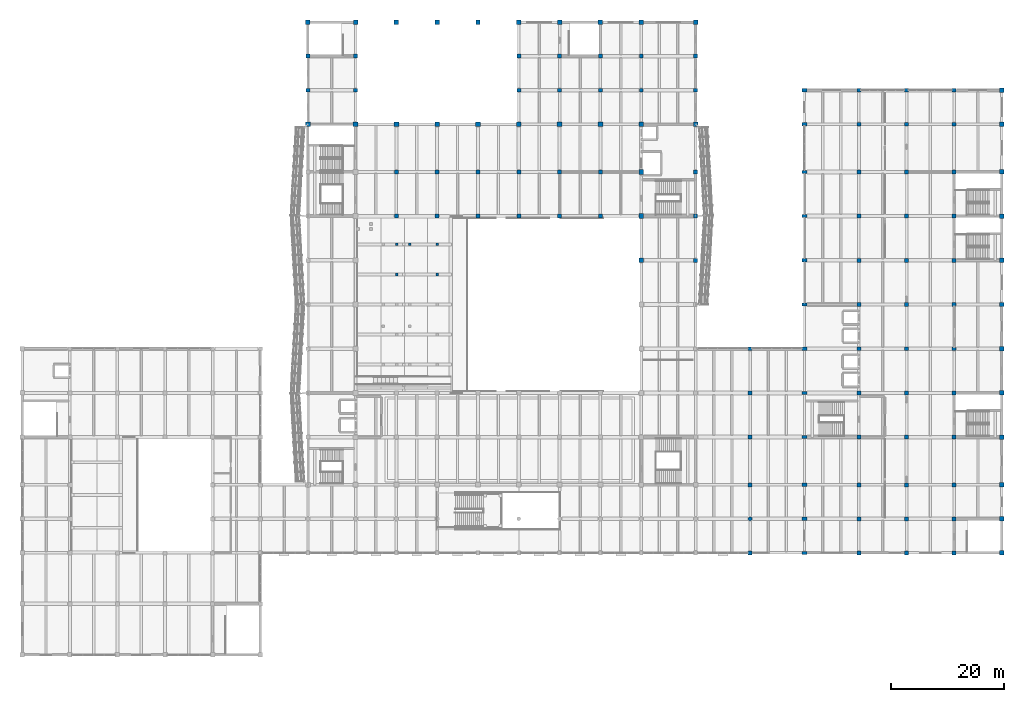
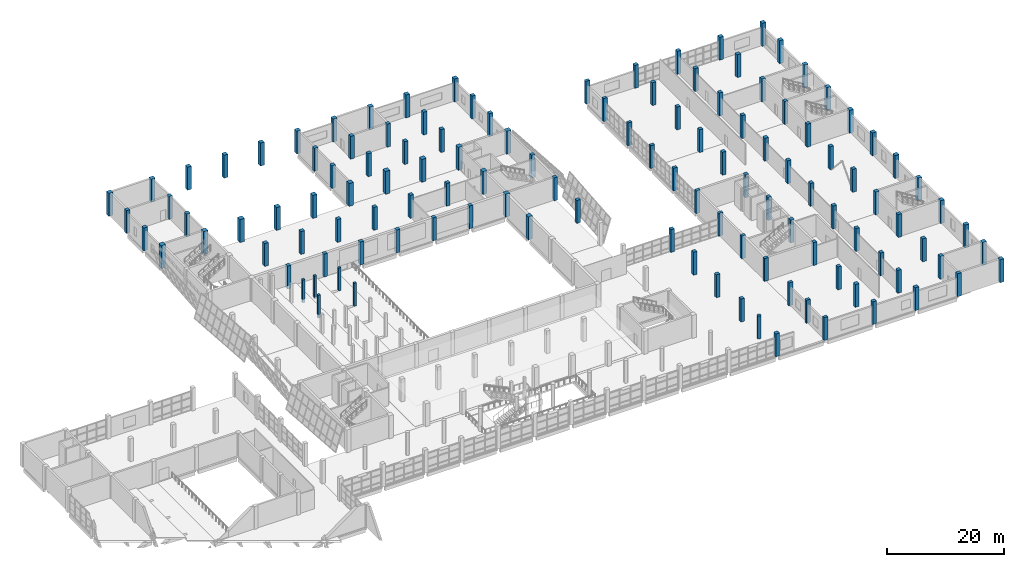
# One storey, part 2 of 91: 123 columns.
"""IFC4 building model written with IfcOpenShell, lengths in metres."""

from ifc_helpers import new_model, si_unit, direction, frame, origin, origin_2d, place, context, subcontext, project, spatial, rectangle, circle, extrude, material, material_profile, profile_set, type_object, element, save


model = new_model("IFC4")

# Units and contexts
model_context = context("Model", 3, precision=1e-05, world=origin(), true_north=direction((0.0, 1.0)))
body_context = subcontext(model_context, "Body", "Model", "MODEL_VIEW")
ifc_project = project(units=[si_unit("LENGTHUNIT", "METRE"), si_unit("AREAUNIT", "SQUARE_METRE"), si_unit("VOLUMEUNIT", "CUBIC_METRE"), si_unit("PLANEANGLEUNIT", "RADIAN"), si_unit("MASSUNIT", "GRAM", prefix="KILO")], contexts=[model_context])

# Site, building, storey
site_placement = place(None, origin())
site = spatial("IfcSite", under=ifc_project, at=site_placement, CompositionType="ELEMENT")
building_placement = place(site_placement, origin())
building = spatial("IfcBuilding", under=site, at=building_placement, Name="Pellamere Symphony Hall", CompositionType="ELEMENT")
storey_placement = place(building_placement, frame((0.0, 0.0, 5.39990234375)))
storey = spatial("IfcBuildingStorey", under=building, at=storey_placement, Name="L01", CompositionType="ELEMENT", Elevation=5.39990234375)

# Columns
ifc_material_1 = material(Name="Concrete 40 MPa", Category="concrete")
ifc_material_profile_1 = material_profile(ifc_material_1, circle(Radius=0.35009765625, at=origin_2d()), Name="RCCOL D700")
ifc_profile_set_1 = profile_set([ifc_material_profile_1], Name="Concrete 40 MPa")
column_type_1 = type_object("IfcColumnType", Name="RC Circular Foyer Column CC-16 D700", PredefinedType="COLUMN", material=ifc_profile_set_1)
column_placement = place(storey_placement, frame((128.39990234375, 24.0, 0.0), z_axis=(0.0, 0.0, 1.0), x_axis=(1.0, 0.0, 0.0)))
element("IfcColumn", 1, at=column_placement, inside=storey, type_object=column_type_1, Name="Column C-17D (L01)", PredefinedType="COLUMN", context=body_context, shape_type="SweptSolid", body=[
    extrude(circle(Radius=0.35009765625, at=origin_2d()), origin(), (0.0, 0.0, 1.0), 4.800048828125),
])
ifc_material_2 = material(Name="Concrete 50 MPa", Category="concrete")
ifc_material_profile_2 = material_profile(ifc_material_2, rectangle(XDim=0.85009765625, YDim=0.85009765625, at=origin_2d()), Name="RC 850x850")
ifc_profile_set_2 = profile_set([ifc_material_profile_2], Name="Concrete 50 MPa")
column_type_2 = type_object("IfcColumnType", Name="RC Column CC-03 850x850", PredefinedType="COLUMN", material=ifc_profile_set_2)
for number, where, z_axis, x_axis, name in (
    (2, (50.39990234375, 93.60009765625, 0.0), (0.0, 0.0, 1.0), (1.0, 0.0, 0.0), "Column C-7M (L01)"),
    (3, (58.800048828125, 93.60009765625, 0.0), (0.0, 0.0, 1.0), (1.0, 0.0, 0.0), "Column C-8M (L01)"),
    (4, (66.0, 93.60009765625, 0.0), (0.0, 0.0, 1.0), (1.0, 0.0, 0.0), "Column C-9M (L01)"),
    (5, (73.199951171875, 93.60009765625, 0.0), (0.0, 0.0, 1.0), (1.0, 0.0, 0.0), "Column C-10M (L01)"),
    (6, (80.39990234375, 93.60009765625, 0.0), (0.0, 0.0, 1.0), (1.0, 0.0, 0.0), "Column C-11M (L01)"),
    (7, (87.60009765625, 93.60009765625, 0.0), (0.0, 0.0, 1.0), (1.0, 0.0, 0.0), "Column C-12M (L01)"),
    (8, (94.800048828125, 93.60009765625, 0.0), (0.0, 0.0, 1.0), (1.0, 0.0, 0.0), "Column C-13M (L01)"),
    (9, (102.0, 93.60009765625, 0.0), (0.0, 0.0, 1.0), (1.0, 0.0, 0.0), "Column C-14M (L01)"),
    (10, (109.199951171875, 69.60009765625, 0.0), (0.0, 0.0, 1.0), (1.0, 0.0, 0.0), "Column C-15J (L01)"),
    (11, (109.199951171875, 77.39990234375, 0.0), (0.0, 0.0, 1.0), (1.0, 0.0, 0.0), "Column C-15K (L01)"),
    (12, (109.199951171875, 85.199951171875, 0.0), (0.0, 0.0, 1.0), (1.0, 0.0, 0.0), "Column C-15L (L01)"),
    (13, (109.199951171875, 93.60009765625, 0.0), (0.0, 0.0, 1.0), (1.0, 0.0, 0.0), "Column C-15M (L01)"),
    (14, (118.800048828125, 93.60009765625, 0.0), (0.0, 0.0, 1.0), (1.0, 0.0, 0.0), "Column C-16M (L01)"),
):
    element("IfcColumn", number, at=place(storey_placement, frame(where, z_axis=z_axis, x_axis=x_axis)), inside=storey, type_object=column_type_2, Name=name, PredefinedType="COLUMN", context=body_context, shape_type="SweptSolid", body=[
        extrude(rectangle(XDim=0.85009765625, YDim=0.85009765625, at=origin_2d()), origin(), (0.0, 0.0, 1.0), 4.800048828125),
    ])
ifc_material_profile_3 = material_profile(ifc_material_1, rectangle(XDim=0.699951171875, YDim=0.699951171875, at=origin_2d()), Name="RC 700x700")
ifc_profile_set_3 = profile_set([ifc_material_profile_3], Name="Concrete 40 MPa")
column_type_3 = type_object("IfcColumnType", Name="RC Column CC-06 700x700", PredefinedType="COLUMN", material=ifc_profile_set_3)
for number, where, z_axis, x_axis, name in (
    (15, (50.39990234375, 99.60009765625, 0.0), (0.0, 0.0, 1.0), (1.0, 0.0, 0.0), "Column C-7N (L01)"),
    (16, (50.39990234375, 105.60009765625, 0.0), (0.0, 0.0, 1.0), (1.0, 0.0, 0.0), "Column C-7O (L01)"),
    (17, (58.800048828125, 99.60009765625, 0.0), (0.0, 0.0, 1.0), (1.0, 0.0, 0.0), "Column C-8N (L01)"),
    (18, (58.800048828125, 105.60009765625, 0.0), (0.0, 0.0, 1.0), (1.0, 0.0, 0.0), "Column C-8O (L01)"),
    (19, (66.0, 77.39990234375, 0.0), (0.0, 0.0, 1.0), (1.0, 0.0, 0.0), "Column C-9K (L01)"),
    (20, (66.0, 85.199951171875, 0.0), (0.0, 0.0, 1.0), (1.0, 0.0, 0.0), "Column C-9L (L01)"),
    (21, (73.199951171875, 77.39990234375, 0.0), (0.0, 0.0, 1.0), (1.0, 0.0, 0.0), "Column C-10K (L01)"),
    (22, (73.199951171875, 85.199951171875, 0.0), (0.0, 0.0, 1.0), (1.0, 0.0, 0.0), "Column C-10L (L01)"),
    (23, (80.39990234375, 77.39990234375, 0.0), (0.0, 0.0, 1.0), (1.0, 0.0, 0.0), "Column C-11K (L01)"),
    (24, (80.39990234375, 85.199951171875, 0.0), (0.0, 0.0, 1.0), (1.0, 0.0, 0.0), "Column C-11L (L01)"),
    (25, (87.60009765625, 77.39990234375, 0.0), (0.0, 0.0, 1.0), (1.0, 0.0, 0.0), "Column C-12K (L01)"),
    (26, (87.60009765625, 85.199951171875, 0.0), (0.0, 0.0, 1.0), (1.0, 0.0, 0.0), "Column C-12L (L01)"),
    (27, (87.60009765625, 99.60009765625, 0.0), (0.0, 0.0, 1.0), (1.0, 0.0, 0.0), "Column C-12N (L01)"),
    (28, (87.60009765625, 105.60009765625, 0.0), (0.0, 0.0, 1.0), (1.0, 0.0, 0.0), "Column C-12O (L01)"),
    (29, (94.800048828125, 77.39990234375, 0.0), (0.0, 0.0, 1.0), (1.0, 0.0, 0.0), "Column C-13K (L01)"),
    (30, (94.800048828125, 85.199951171875, 0.0), (0.0, 0.0, 1.0), (1.0, 0.0, 0.0), "Column C-13L (L01)"),
    (31, (94.800048828125, 99.60009765625, 0.0), (0.0, 0.0, 1.0), (1.0, 0.0, 0.0), "Column C-13N (L01)"),
    (32, (94.800048828125, 105.60009765625, 0.0), (0.0, 0.0, 1.0), (1.0, 0.0, 0.0), "Column C-13O (L01)"),
    (33, (102.0, 77.39990234375, 0.0), (0.0, 0.0, 1.0), (1.0, 0.0, 0.0), "Column C-14K (L01)"),
    (34, (102.0, 85.199951171875, 0.0), (0.0, 0.0, 1.0), (1.0, 0.0, 0.0), "Column C-14L (L01)"),
    (35, (102.0, 99.60009765625, 0.0), (0.0, 0.0, 1.0), (1.0, 0.0, 0.0), "Column C-14N (L01)"),
    (36, (102.0, 105.60009765625, 0.0), (0.0, 0.0, 1.0), (1.0, 0.0, 0.0), "Column C-14O (L01)"),
    (37, (109.199951171875, 99.60009765625, 0.0), (0.0, 0.0, 1.0), (1.0, 0.0, 0.0), "Column C-15N (L01)"),
    (38, (109.199951171875, 105.60009765625, 0.0), (0.0, 0.0, 1.0), (1.0, 0.0, 0.0), "Column C-15O (L01)"),
    (39, (118.800048828125, 69.60009765625, 0.0), (0.0, 0.0, 1.0), (1.0, 0.0, 0.0), "Column C-16J (L01)"),
    (40, (118.800048828125, 77.39990234375, 0.0), (0.0, 0.0, 1.0), (1.0, 0.0, 0.0), "Column C-16K (L01)"),
    (41, (118.800048828125, 85.199951171875, 0.0), (0.0, 0.0, 1.0), (1.0, 0.0, 0.0), "Column C-16L (L01)"),
    (42, (118.800048828125, 99.60009765625, 0.0), (0.0, 0.0, 1.0), (1.0, 0.0, 0.0), "Column C-16N (L01)"),
    (43, (118.800048828125, 105.60009765625, 0.0), (0.0, 0.0, 1.0), (1.0, 0.0, 0.0), "Column C-16O (L01)"),
    (44, (128.39990234375, 18.0, 0.0), (0.0, 0.0, 1.0), (1.0, 0.0, 0.0), "Column C-17C (L01)"),
    (45, (128.39990234375, 30.0, 0.0), (0.0, 0.0, 1.0), (1.0, 0.0, 0.0), "Column C-17E (L01)"),
    (46, (128.39990234375, 38.39990234375, 0.0), (0.0, 0.0, 1.0), (1.0, 0.0, 0.0), "Column C-17F (L01)"),
    (47, (128.39990234375, 46.199951171875, 0.0), (0.0, 0.0, 1.0), (1.0, 0.0, 0.0), "Column C-17G (L01)"),
    (48, (128.39990234375, 54.0, 0.0), (0.0, 0.0, 1.0), (1.0, 0.0, 0.0), "Column C-17H (L01)"),
    (49, (147.60009765625, 18.0, 0.0), (0.0, 0.0, 1.0), (1.0, 0.0, 0.0), "Column C-19C (L01)"),
    (50, (147.60009765625, 24.0, 0.0), (0.0, 0.0, 1.0), (1.0, 0.0, 0.0), "Column C-19D (L01)"),
    (51, (147.60009765625, 30.0, 0.0), (0.0, 0.0, 1.0), (1.0, 0.0, 0.0), "Column C-19E (L01)"),
    (52, (147.60009765625, 38.39990234375, 0.0), (0.0, 0.0, 1.0), (1.0, 0.0, 0.0), "Column C-19F (L01)"),
    (53, (147.60009765625, 46.199951171875, 0.0), (0.0, 0.0, 1.0), (1.0, 0.0, 0.0), "Column C-19G (L01)"),
    (54, (147.60009765625, 54.0, 0.0), (0.0, 0.0, 1.0), (1.0, 0.0, 0.0), "Column C-19H (L01)"),
    (55, (147.60009765625, 61.800048828125, 0.0), (0.0, 0.0, 1.0), (1.0, 0.0, 0.0), "Column C-19I (L01)"),
    (56, (147.60009765625, 69.60009765625, 0.0), (0.0, 0.0, 1.0), (1.0, 0.0, 0.0), "Column C-19J (L01)"),
    (57, (147.60009765625, 77.39990234375, 0.0), (0.0, 0.0, 1.0), (1.0, 0.0, 0.0), "Column C-19K (L01)"),
    (58, (147.60009765625, 85.199951171875, 0.0), (0.0, 0.0, 1.0), (1.0, 0.0, 0.0), "Column C-19L (L01)"),
    (59, (147.60009765625, 93.60009765625, 0.0), (0.0, 0.0, 1.0), (1.0, 0.0, 0.0), "Column C-19M (L01)"),
    (60, (147.60009765625, 99.60009765625, 0.0), (0.0, 0.0, 1.0), (1.0, 0.0, 0.0), "Column C-19N (L01)"),
    (61, (156.0, 18.0, 0.0), (0.0, 0.0, 1.0), (1.0, 0.0, 0.0), "Column C-20C (L01)"),
    (62, (156.0, 24.0, 0.0), (0.0, 0.0, 1.0), (1.0, 0.0, 0.0), "Column C-20D (L01)"),
    (63, (156.0, 30.0, 0.0), (0.0, 0.0, 1.0), (1.0, 0.0, 0.0), "Column C-20E (L01)"),
    (64, (156.0, 38.39990234375, 0.0), (0.0, 0.0, 1.0), (1.0, 0.0, 0.0), "Column C-20F (L01)"),
    (65, (156.0, 46.199951171875, 0.0), (0.0, 0.0, 1.0), (1.0, 0.0, 0.0), "Column C-20G (L01)"),
    (66, (156.0, 54.0, 0.0), (0.0, 0.0, 1.0), (1.0, 0.0, 0.0), "Column C-20H (L01)"),
    (67, (156.0, 61.800048828125, 0.0), (0.0, 0.0, 1.0), (1.0, 0.0, 0.0), "Column C-20I (L01)"),
    (68, (156.0, 69.60009765625, 0.0), (0.0, 0.0, 1.0), (1.0, 0.0, 0.0), "Column C-20J (L01)"),
    (69, (156.0, 77.39990234375, 0.0), (0.0, 0.0, 1.0), (1.0, 0.0, 0.0), "Column C-20K (L01)"),
    (70, (156.0, 85.199951171875, 0.0), (0.0, 0.0, 1.0), (1.0, 0.0, 0.0), "Column C-20L (L01)"),
    (71, (156.0, 93.60009765625, 0.0), (0.0, 0.0, 1.0), (1.0, 0.0, 0.0), "Column C-20M (L01)"),
    (72, (156.0, 99.60009765625, 0.0), (0.0, 0.0, 1.0), (1.0, 0.0, 0.0), "Column C-20N (L01)"),
    (73, (164.39990234375, 18.0, 0.0), (0.0, 0.0, 1.0), (1.0, 0.0, 0.0), "Column C-21C (L01)"),
    (74, (164.39990234375, 24.0, 0.0), (0.0, 0.0, 1.0), (1.0, 0.0, 0.0), "Column C-21D (L01)"),
    (75, (164.39990234375, 30.0, 0.0), (0.0, 0.0, 1.0), (1.0, 0.0, 0.0), "Column C-21E (L01)"),
    (76, (164.39990234375, 38.39990234375, 0.0), (0.0, 0.0, 1.0), (1.0, 0.0, 0.0), "Column C-21F (L01)"),
    (77, (164.39990234375, 46.199951171875, 0.0), (0.0, 0.0, 1.0), (1.0, 0.0, 0.0), "Column C-21G (L01)"),
    (78, (164.39990234375, 54.0, 0.0), (0.0, 0.0, 1.0), (1.0, 0.0, 0.0), "Column C-21H (L01)"),
    (79, (164.39990234375, 61.800048828125, 0.0), (0.0, 0.0, 1.0), (1.0, 0.0, 0.0), "Column C-21I (L01)"),
    (80, (164.39990234375, 69.60009765625, 0.0), (0.0, 0.0, 1.0), (1.0, 0.0, 0.0), "Column C-21J (L01)"),
    (81, (164.39990234375, 77.39990234375, 0.0), (0.0, 0.0, 1.0), (1.0, 0.0, 0.0), "Column C-21K (L01)"),
    (82, (164.39990234375, 85.199951171875, 0.0), (0.0, 0.0, 1.0), (1.0, 0.0, 0.0), "Column C-21L (L01)"),
    (83, (164.39990234375, 93.60009765625, 0.0), (0.0, 0.0, 1.0), (1.0, 0.0, 0.0), "Column C-21M (L01)"),
    (84, (164.39990234375, 99.60009765625, 0.0), (0.0, 0.0, 1.0), (1.0, 0.0, 0.0), "Column C-21N (L01)"),
):
    element("IfcColumn", number, at=place(storey_placement, frame(where, z_axis=z_axis, x_axis=x_axis)), inside=storey, type_object=column_type_3, Name=name, PredefinedType="COLUMN", context=body_context, shape_type="SweptSolid", body=[
        extrude(rectangle(XDim=0.699951171875, YDim=0.699951171875, at=origin_2d()), origin(), (0.0, 0.0, 1.0), 4.800048828125),
    ])
ifc_material_profile_4 = material_profile(ifc_material_1, rectangle(XDim=0.800048828125, YDim=0.550048828125, at=origin_2d()), Name="RC 800x550")
ifc_profile_set_4 = profile_set([ifc_material_profile_4], Name="Concrete 40 MPa")
column_type_4 = type_object("IfcColumnType", Name="RC Column CC-13 800x550", PredefinedType="COLUMN", material=ifc_profile_set_4)
for number, where, z_axis, x_axis, name in (
    (85, (138.0, 18.0, 0.0), (0.0, 0.0, 1.0), (1.0, 0.0, 0.0), "Column C-18C (L01)"),
    (86, (138.0, 24.0, 0.0), (0.0, 0.0, 1.0), (1.0, 0.0, 0.0), "Column C-18D (L01)"),
    (87, (138.0, 30.0, 0.0), (0.0, 0.0, 1.0), (1.0, 0.0, 0.0), "Column C-18E (L01)"),
    (88, (138.0, 38.39990234375, 0.0), (0.0, 0.0, 1.0), (1.0, 0.0, 0.0), "Column C-18F (L01)"),
    (89, (138.0, 46.199951171875, 0.0), (0.0, 0.0, 1.0), (1.0, 0.0, 0.0), "Column C-18G (L01)"),
    (90, (138.0, 54.0, 0.0), (0.0, 0.0, 1.0), (1.0, 0.0, 0.0), "Column C-18H (L01)"),
    (91, (138.0, 61.800048828125, 0.0), (0.0, 0.0, 1.0), (1.0, 0.0, 0.0), "Column C-18I (L01)"),
    (92, (138.0, 69.60009765625, 0.0), (0.0, 0.0, 1.0), (1.0, 0.0, 0.0), "Column C-18J (L01)"),
    (93, (138.0, 77.39990234375, 0.0), (0.0, 0.0, 1.0), (1.0, 0.0, 0.0), "Column C-18K (L01)"),
    (94, (138.0, 85.199951171875, 0.0), (0.0, 0.0, 1.0), (1.0, 0.0, 0.0), "Column C-18L (L01)"),
    (95, (138.0, 93.60009765625, 0.0), (0.0, 0.0, 1.0), (1.0, 0.0, 0.0), "Column C-18M (L01)"),
    (96, (138.0, 99.60009765625, 0.0), (0.0, 0.0, 1.0), (1.0, 0.0, 0.0), "Column C-18N (L01)"),
):
    element("IfcColumn", number, at=place(storey_placement, frame(where, z_axis=z_axis, x_axis=x_axis)), inside=storey, type_object=column_type_4, Name=name, PredefinedType="COLUMN", context=body_context, shape_type="SweptSolid", body=[
        extrude(rectangle(XDim=0.800048828125, YDim=0.550048828125, at=origin_2d()), origin(), (0.0, 0.0, 1.0), 4.800048828125),
    ])
ifc_material_profile_5 = material_profile(ifc_material_1, rectangle(XDim=0.449951171875, YDim=0.449951171875, at=origin_2d()), Name="RC 450x450")
ifc_profile_set_5 = profile_set([ifc_material_profile_5], Name="Concrete 40 MPa")
column_type_5 = type_object("IfcColumnType", Name="RC Column CC-18 450x450", PredefinedType="COLUMN", material=ifc_profile_set_5)
for number, where, z_axis, x_axis, name in (
    (97, (66.074951171875, 67.10009765625, 0.0), (0.0, 0.0, 1.0), (1.0, 0.0, 0.0), "Under-Tier Raker Support Column RKC-049 (L01)"),
    (98, (66.074951171875, 72.39990234375, 0.0), (0.0, 0.0, 1.0), (1.0, 0.0, 0.0), "Under-Tier Raker Support Column RKC-053 (L01)"),
    (99, (68.39990234375, 72.39990234375, 0.0), (0.0, 0.0, 1.0), (1.0, 0.0, 0.0), "Under-Tier Raker Support Column RKC-090 (L01)"),
    (100, (73.199951171875, 67.10009765625, 0.0), (0.0, 0.0, 1.0), (1.0, 0.0, 0.0), "Under-Tier Raker Support Column RKC-106 (L01)"),
    (101, (73.199951171875, 72.39990234375, 0.0), (0.0, 0.0, 1.0), (1.0, 0.0, 0.0), "Under-Tier Raker Support Column RKC-110 (L01)"),
):
    element("IfcColumn", number, at=place(storey_placement, frame(where, z_axis=z_axis, x_axis=x_axis)), inside=storey, type_object=column_type_5, Name=name, PredefinedType="COLUMN", context=body_context, shape_type="SweptSolid", body=[
        extrude(rectangle(XDim=0.449951171875, YDim=0.449951171875, at=origin_2d()), origin(), (0.0, 0.0, 1.0), 4.800048828125),
    ])
ifc_material_profile_6 = material_profile(ifc_material_1, rectangle(XDim=0.780029296875, YDim=0.780029296875, at=origin_2d()), Name="RC 780x780")
ifc_profile_set_6 = profile_set([ifc_material_profile_6], Name="Concrete 40 MPa")
column_type_6 = type_object("IfcColumnType", Name="RC Column CCP-03 780x780", PredefinedType="COLUMN", material=ifc_profile_set_6)
for number, where, z_axis, x_axis, name in (
    (102, (50.39990234375, 111.60009765625, 0.0), (0.0, 0.0, 1.0), (1.0, 0.0, 0.0), "Column C-7P (L01)"),
    (103, (58.800048828125, 111.60009765625, 0.0), (0.0, 0.0, 1.0), (1.0, 0.0, 0.0), "Column C-8P (L01)"),
    (104, (66.0, 111.60009765625, 0.0), (0.0, 0.0, 1.0), (1.0, 0.0, 0.0), "Column C-9P (L01)"),
    (105, (73.199951171875, 111.60009765625, 0.0), (0.0, 0.0, 1.0), (1.0, 0.0, 0.0), "Column C-10P (L01)"),
    (106, (80.39990234375, 111.60009765625, 0.0), (0.0, 0.0, 1.0), (1.0, 0.0, 0.0), "Column C-11P (L01)"),
    (107, (87.60009765625, 111.60009765625, 0.0), (0.0, 0.0, 1.0), (1.0, 0.0, 0.0), "Column C-12P (L01)"),
    (108, (94.800048828125, 111.60009765625, 0.0), (0.0, 0.0, 1.0), (1.0, 0.0, 0.0), "Column C-13P (L01)"),
    (109, (102.0, 111.60009765625, 0.0), (0.0, 0.0, 1.0), (1.0, 0.0, 0.0), "Column C-14P (L01)"),
    (110, (109.199951171875, 111.60009765625, 0.0), (0.0, 0.0, 1.0), (1.0, 0.0, 0.0), "Column C-15P (L01)"),
    (111, (118.800048828125, 111.60009765625, 0.0), (0.0, 0.0, 1.0), (1.0, 0.0, 0.0), "Column C-16P (L01)"),
    (112, (172.800048828125, 18.0, 0.0), (0.0, 0.0, 1.0), (1.0, 0.0, 0.0), "Column C-22C (L01)"),
    (113, (172.800048828125, 24.0, 0.0), (0.0, 0.0, 1.0), (1.0, 0.0, 0.0), "Column C-22D (L01)"),
    (114, (172.800048828125, 30.0, 0.0), (0.0, 0.0, 1.0), (1.0, 0.0, 0.0), "Column C-22E (L01)"),
    (115, (172.800048828125, 38.39990234375, 0.0), (0.0, 0.0, 1.0), (1.0, 0.0, 0.0), "Column C-22F (L01)"),
    (116, (172.800048828125, 46.199951171875, 0.0), (0.0, 0.0, 1.0), (1.0, 0.0, 0.0), "Column C-22G (L01)"),
    (117, (172.800048828125, 54.0, 0.0), (0.0, 0.0, 1.0), (1.0, 0.0, 0.0), "Column C-22H (L01)"),
    (118, (172.800048828125, 61.800048828125, 0.0), (0.0, 0.0, 1.0), (1.0, 0.0, 0.0), "Column C-22I (L01)"),
    (119, (172.800048828125, 69.60009765625, 0.0), (0.0, 0.0, 1.0), (1.0, 0.0, 0.0), "Column C-22J (L01)"),
    (120, (172.800048828125, 77.39990234375, 0.0), (0.0, 0.0, 1.0), (1.0, 0.0, 0.0), "Column C-22K (L01)"),
    (121, (172.800048828125, 85.199951171875, 0.0), (0.0, 0.0, 1.0), (1.0, 0.0, 0.0), "Column C-22L (L01)"),
    (122, (172.800048828125, 93.60009765625, 0.0), (0.0, 0.0, 1.0), (1.0, 0.0, 0.0), "Column C-22M (L01)"),
    (123, (172.800048828125, 99.60009765625, 0.0), (0.0, 0.0, 1.0), (1.0, 0.0, 0.0), "Column C-22N (L01)"),
):
    element("IfcColumn", number, at=place(storey_placement, frame(where, z_axis=z_axis, x_axis=x_axis)), inside=storey, type_object=column_type_6, Name=name, PredefinedType="COLUMN", context=body_context, shape_type="SweptSolid", body=[
        extrude(rectangle(XDim=0.780029296875, YDim=0.780029296875, at=origin_2d()), origin(), (0.0, 0.0, 1.0), 4.800048828125),
    ])

save(model, "model.ifc")
